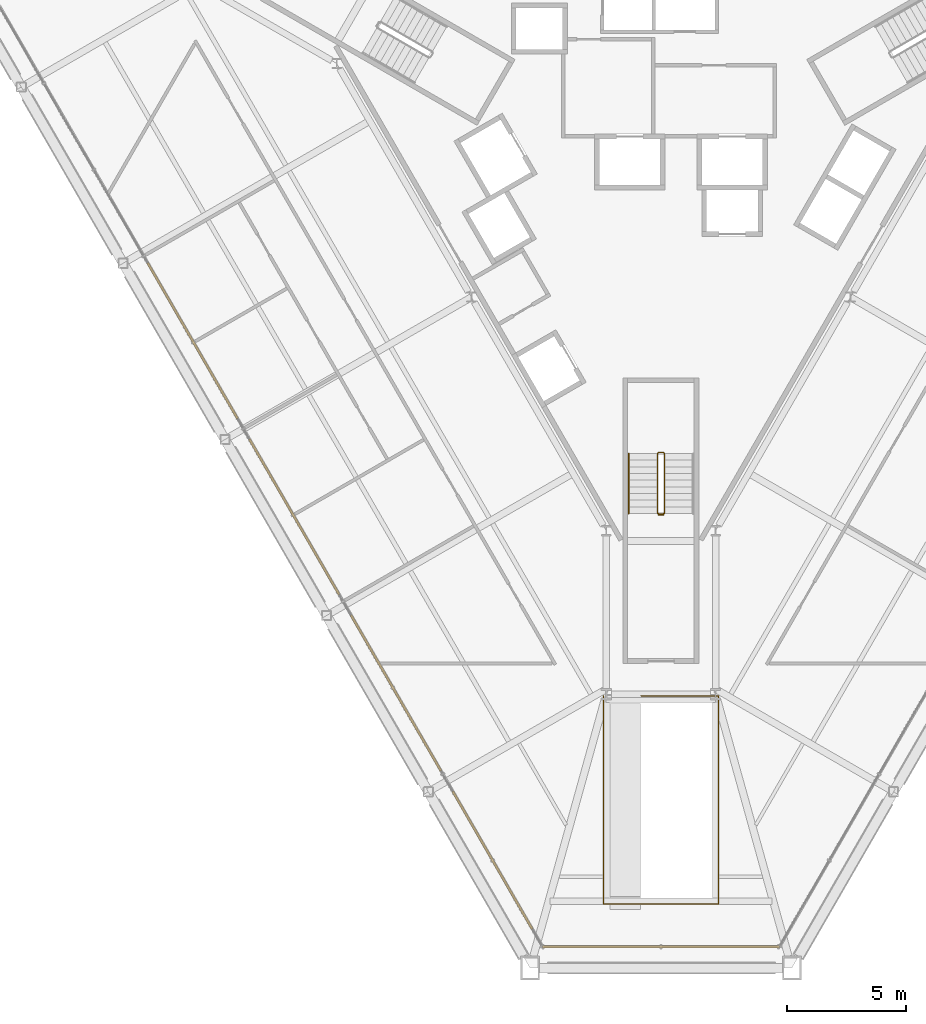
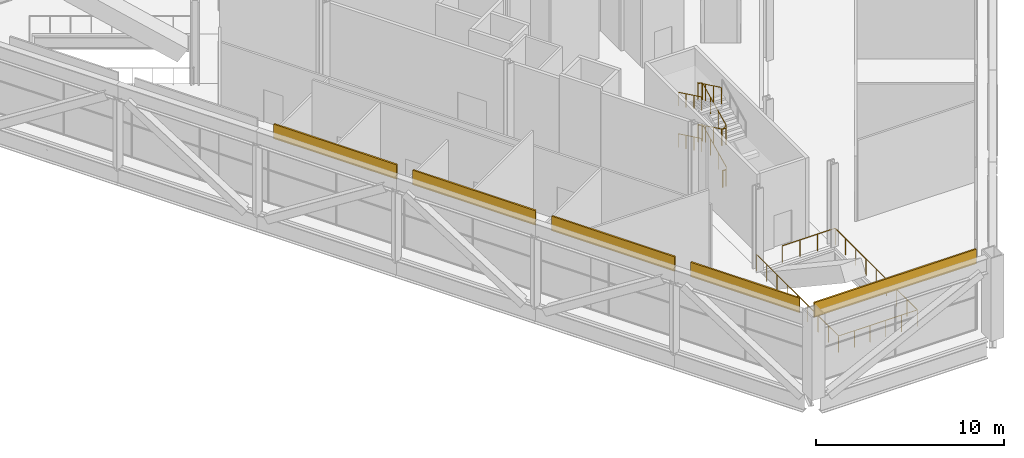
# One storey, part 16 of 20: 5 coverings, 5 railings.
"""IFC4 building model written with IfcOpenShell, lengths in metres."""

from ifc_helpers import new_model, si_unit, direction, frame, origin, origin_2d, place, context, subcontext, project, spatial, rectangle, circle, extrude, material, layer, layer_set, type_object, element, save


model = new_model("IFC4")

# Units and contexts
model_context = context("Model", 3, precision=1e-05, world=origin(), true_north=direction((0.0, 1.0)))
body_context = subcontext(model_context, "Body", "Model", "MODEL_VIEW")
ifc_project = project(units=[si_unit("LENGTHUNIT", "METRE"), si_unit("AREAUNIT", "SQUARE_METRE"), si_unit("VOLUMEUNIT", "CUBIC_METRE"), si_unit("PLANEANGLEUNIT", "RADIAN"), si_unit("MASSUNIT", "GRAM", prefix="KILO")], contexts=[model_context])

# Site, building, storey
site_placement = place(None, origin())
site = spatial("IfcSite", under=ifc_project, at=site_placement, CompositionType="ELEMENT")
building_placement = place(site_placement, origin())
building = spatial("IfcBuilding", under=site, at=building_placement, Name="Verrane Prism Tower", CompositionType="ELEMENT")
storey_placement = place(building_placement, frame((0.0, 0.0, 12.0)))
storey = spatial("IfcBuildingStorey", under=building, at=storey_placement, Name="L01", CompositionType="ELEMENT", Elevation=12.0)

# Coverings
ifc_material_1 = material(Name="Limestone cladding", Category="masonry")
ifc_layer = layer(ifc_material_1, 0.10009765625)
ifc_layer_set = layer_set([ifc_layer], Name="FA-100 stone fascia panel")
covering_type = type_object("IfcCoveringType", Name="FA-100 stone fascia panel", PredefinedType="CLADDING", material=ifc_layer_set)
covering_1_placement = place(storey_placement, frame((-19.6904296875, -6.43505859375, 4.2900390625), z_axis=(0.0, 0.0, 1.0), x_axis=(0.500000118955, -0.866025335106, 0.0)))
element("IfcCovering", 1, at=covering_1_placement, inside=storey, type_object=covering_type, Name="Stone fascia L01 4.3", PredefinedType="CLADDING", context=body_context, shape_type="SweptSolid", body=[
    extrude(rectangle(XDim=7.55712890625, YDim=0.10009765625, at=origin_2d()), origin(), (0.0, 0.0, 1.0), 0.949951171875),
])
covering_2_placement = place(storey_placement, frame((-15.415283203125, -13.83984375, 4.2900390625), z_axis=(0.0, 0.0, 1.0), x_axis=(0.500000118955, -0.866025335106, 0.0)))
element("IfcCovering", 2, at=covering_2_placement, inside=storey, type_object=covering_type, Name="Stone fascia L01 4.4", PredefinedType="CLADDING", context=body_context, shape_type="SweptSolid", body=[
    extrude(rectangle(XDim=7.543701171875, YDim=0.10009765625, at=origin_2d()), origin(), (0.0, 0.0, 1.0), 0.949951171875),
])
covering_3_placement = place(storey_placement, frame((-11.14013671875, -21.24462890625, 4.2900390625), z_axis=(0.0, 0.0, 1.0), x_axis=(0.500000118955, -0.866025335106, 0.0)))
element("IfcCovering", 3, at=covering_3_placement, inside=storey, type_object=covering_type, Name="Stone fascia L01 4.5", PredefinedType="CLADDING", context=body_context, shape_type="SweptSolid", body=[
    extrude(rectangle(XDim=7.55712890625, YDim=0.10009765625, at=origin_2d()), origin(), (0.0, 0.0, 1.0), 0.949951171875),
])
covering_4_placement = place(storey_placement, frame((-7.081787109375, -28.27392578125, 4.2900390625), z_axis=(0.0, 0.0, 1.0), x_axis=(0.500000118955, -0.866025335106, 0.0)))
element("IfcCovering", 4, at=covering_4_placement, inside=storey, type_object=covering_type, Name="Stone fascia L01 4.6", PredefinedType="CLADDING", context=body_context, shape_type="SweptSolid", body=[
    extrude(rectangle(XDim=6.67578125, YDim=0.10009765625, at=origin_2d()), origin(), (0.0, 0.0, 1.0), 0.949951171875),
])
covering_5_placement = place(storey_placement, frame((0.0, -31.913818359375, 4.2900390625), z_axis=(0.0, 0.0, 1.0), x_axis=(1.0, 0.0, 0.0)))
element("IfcCovering", 5, at=covering_5_placement, inside=storey, type_object=covering_type, Name="Stone fascia L01 5.1", PredefinedType="CLADDING", context=body_context, shape_type="SweptSolid", body=[
    extrude(rectangle(XDim=9.960693359375, YDim=0.10009765625, at=origin_2d()), origin(), (0.0, 0.0, 1.0), 0.949951171875),
])

# Railings
ifc_material_2 = material(Name="Stainless steel and laminated glass", Category="steel")
railing_type_1 = type_object("IfcRailingType", Name="GR-1100 glass and steel guard", PredefinedType="GUARDRAIL", material=ifc_material_2)
railing_1_placement = place(storey_placement, frame((-2.419921875, -21.3701171875, 0.0)))
element("IfcRailing", 6, at=railing_1_placement, inside=storey, type_object=railing_type_1, Name="Guard EW3 L01 1", PredefinedType="GUARDRAIL", context=body_context, shape_type="SweptSolid", body=[
    extrude(circle(Radius=0.02392578125, at=origin_2d()), frame((0.0, 0.0, 1.076171875), z_axis=(0.0, -1.0, 0.0), x_axis=(1.0, 0.0, 0.0)), (0.0, 0.0, 1.0), 8.75),
    extrude(circle(Radius=0.02392578125, at=origin_2d()), frame((0.0, -8.75, 1.076171875), z_axis=(1.0, 0.0, 0.0), x_axis=(0.0, 1.0, 0.0)), (0.0, 0.0, 1.0), 4.83984375),
    extrude(circle(Radius=0.02392578125, at=origin_2d()), frame((4.83984375, -8.75, 1.076171875), z_axis=(0.0, 1.0, 0.0), x_axis=(-1.0, 0.0, 0.0)), (0.0, 0.0, 1.0), 8.75),
    extrude(circle(Radius=0.02392578125, at=origin_2d()), frame((4.83984375, 0.0, 1.076171875), z_axis=(-1.0, 0.0, 0.0), x_axis=(0.0, -1.0, 0.0)), (0.0, 0.0, 1.0), 3.25),
    extrude(circle(Radius=0.02099609375, at=origin_2d()), origin(), (0.0, 0.0, 1.0), 1.052001953125),
    extrude(circle(Radius=0.02099609375, at=origin_2d()), frame((0.0, -1.09375, 0.0)), (0.0, 0.0, 1.0), 1.052001953125),
    extrude(circle(Radius=0.02099609375, at=origin_2d()), frame((0.0, -2.1875, 0.0)), (0.0, 0.0, 1.0), 1.052001953125),
    extrude(circle(Radius=0.02099609375, at=origin_2d()), frame((0.0, -3.28125, 0.0)), (0.0, 0.0, 1.0), 1.052001953125),
    extrude(circle(Radius=0.02099609375, at=origin_2d()), frame((0.0, -4.375, 0.0)), (0.0, 0.0, 1.0), 1.052001953125),
    extrude(circle(Radius=0.02099609375, at=origin_2d()), frame((0.0, -5.46875, 0.0)), (0.0, 0.0, 1.0), 1.052001953125),
    extrude(circle(Radius=0.02099609375, at=origin_2d()), frame((0.0, -6.5625, 0.0)), (0.0, 0.0, 1.0), 1.052001953125),
    extrude(circle(Radius=0.02099609375, at=origin_2d()), frame((0.0, -7.65625, 0.0)), (0.0, 0.0, 1.0), 1.052001953125),
    extrude(circle(Radius=0.02099609375, at=origin_2d()), frame((0.0, -8.75, 0.0)), (0.0, 0.0, 1.0), 1.052001953125),
    extrude(circle(Radius=0.02099609375, at=origin_2d()), frame((0.968017578125, -8.75, 0.0)), (0.0, 0.0, 1.0), 1.052001953125),
    extrude(circle(Radius=0.02099609375, at=origin_2d()), frame((1.93603515625, -8.75, 0.0)), (0.0, 0.0, 1.0), 1.052001953125),
    extrude(circle(Radius=0.02099609375, at=origin_2d()), frame((2.90380859375, -8.75, 0.0)), (0.0, 0.0, 1.0), 1.052001953125),
    extrude(circle(Radius=0.02099609375, at=origin_2d()), frame((3.871826171875, -8.75, 0.0)), (0.0, 0.0, 1.0), 1.052001953125),
    extrude(circle(Radius=0.02099609375, at=origin_2d()), frame((4.83984375, -8.75, 0.0)), (0.0, 0.0, 1.0), 1.052001953125),
    extrude(circle(Radius=0.02099609375, at=origin_2d()), frame((4.83984375, -7.65625, 0.0)), (0.0, 0.0, 1.0), 1.052001953125),
    extrude(circle(Radius=0.02099609375, at=origin_2d()), frame((4.83984375, -6.5625, 0.0)), (0.0, 0.0, 1.0), 1.052001953125),
    extrude(circle(Radius=0.02099609375, at=origin_2d()), frame((4.83984375, -5.46875, 0.0)), (0.0, 0.0, 1.0), 1.052001953125),
    extrude(circle(Radius=0.02099609375, at=origin_2d()), frame((4.83984375, -4.375, 0.0)), (0.0, 0.0, 1.0), 1.052001953125),
    extrude(circle(Radius=0.02099609375, at=origin_2d()), frame((4.83984375, -3.28125, 0.0)), (0.0, 0.0, 1.0), 1.052001953125),
    extrude(circle(Radius=0.02099609375, at=origin_2d()), frame((4.83984375, -2.1875, 0.0)), (0.0, 0.0, 1.0), 1.052001953125),
    extrude(circle(Radius=0.02099609375, at=origin_2d()), frame((4.83984375, -1.09375, 0.0)), (0.0, 0.0, 1.0), 1.052001953125),
    extrude(circle(Radius=0.02099609375, at=origin_2d()), frame((4.83984375, 0.0, 0.0)), (0.0, 0.0, 1.0), 1.052001953125),
    extrude(circle(Radius=0.02099609375, at=origin_2d()), frame((3.756591796875, 0.0, 0.0)), (0.0, 0.0, 1.0), 1.052001953125),
    extrude(circle(Radius=0.02099609375, at=origin_2d()), frame((2.673095703125, 0.0, 0.0)), (0.0, 0.0, 1.0), 1.052001953125),
    extrude(circle(Radius=0.02099609375, at=origin_2d()), frame((1.58984375, 0.0, 0.0)), (0.0, 0.0, 1.0), 1.052001953125),
])
ifc_material_3 = material(Name="Steel A36 rail and posts, no infill", Category="steel")
railing_type_2 = type_object("IfcRailingType", Name="Stair guard 1100 steel rail and posts", PredefinedType="GUARDRAIL", material=ifc_material_3)
railing_2_placement = place(storey_placement, frame((0.14990234375, -13.699951171875, 0.135009765625)))
element("IfcRailing", 7, at=railing_2_placement, inside=storey, type_object=railing_type_2, Name="Stair 3 guard", PredefinedType="GUARDRAIL", context=body_context, shape_type="SweptSolid", body=[
    extrude(circle(Radius=0.02392578125, at=origin_2d()), frame((0.0, 0.0, 1.076171875), z_axis=(0.0, 0.900757707942, 0.434321944626), x_axis=(-1.0, 0.0, 0.0)), (0.0, 0.0, 1.0), 2.797607421875),
    extrude(circle(Radius=0.02392578125, at=origin_2d()), frame((0.0, 2.52001953125, 2.291015625), z_axis=(-0.705375805398, 0.708833529934, 0.0), x_axis=(-0.708833529934, -0.705375805398, 0.0)), (0.0, 0.0, 1.0), 0.070556640625),
    extrude(circle(Radius=0.02392578125, at=origin_2d()), frame((-0.0498046875, 2.570068359375, 2.291015625), z_axis=(-1.0, 0.0, 0.0), x_axis=(0.0, -1.0, 0.0)), (0.0, 0.0, 1.0), 0.2001953125),
    extrude(circle(Radius=0.02392578125, at=origin_2d()), frame((-0.25, 2.570068359375, 2.291015625), z_axis=(-0.326892015866, -0.328494427709, 0.886133748893), x_axis=(0.708833529934, -0.705375805398, 0.0)), (0.0, 0.0, 1.0), 0.15234375),
    extrude(circle(Radius=0.02392578125, at=origin_2d()), frame((-0.2998046875, 2.52001953125, 2.42626953125), z_axis=(0.0, -0.900791846482, 0.434251136223), x_axis=(1.0, 0.0, 0.0)), (0.0, 0.0, 1.0), 2.797607421875),
    extrude(circle(Radius=0.02392578125, at=origin_2d()), frame((-0.2998046875, 0.0, 3.64111328125), z_axis=(0.98054382908, -0.196300278283, 0.0), x_axis=(0.196300278283, 0.98054382908, 0.0)), (0.0, 0.0, 1.0), 0.2548828125),
    extrude(circle(Radius=0.02392578125, at=origin_2d()), frame((-0.0498046875, -0.050048828125, 3.64111328125), z_axis=(-1.0, 0.0, 0.0), x_axis=(0.0, -1.0, 0.0)), (0.0, 0.0, 1.0), 0.2001953125),
    extrude(circle(Radius=0.02392578125, at=origin_2d()), frame((-0.25, -0.050048828125, 3.64111328125), z_axis=(0.866549710535, 0.173479190097, 0.467970693287), x_axis=(-0.196300278283, 0.98054382908, 0.0)), (0.0, 0.0, 1.0), 0.28857421875),
    extrude(circle(Radius=0.02392578125, at=origin_2d()), frame((0.0, 0.0, 3.77587890625), z_axis=(0.0, 0.900757707942, 0.434321944626), x_axis=(-1.0, 0.0, 0.0)), (0.0, 0.0, 1.0), 2.797607421875),
    extrude(circle(Radius=0.02392578125, at=origin_2d()), frame((0.0, 2.52001953125, 4.9912109375), z_axis=(-0.705375805398, 0.708833529934, 0.0), x_axis=(-0.708833529934, -0.705375805398, 0.0)), (0.0, 0.0, 1.0), 0.070556640625),
    extrude(circle(Radius=0.02392578125, at=origin_2d()), frame((-0.0498046875, 2.570068359375, 4.9912109375), z_axis=(-1.0, 0.0, 0.0), x_axis=(0.0, -1.0, 0.0)), (0.0, 0.0, 1.0), 0.2001953125),
    extrude(circle(Radius=0.02392578125, at=origin_2d()), frame((-0.25, 2.570068359375, 4.9912109375), z_axis=(-0.326892015866, -0.328494427709, 0.886133748893), x_axis=(0.708833529934, -0.705375805398, 0.0)), (0.0, 0.0, 1.0), 0.15234375),
    extrude(circle(Radius=0.02392578125, at=origin_2d()), frame((-0.2998046875, 2.52001953125, 5.1259765625), z_axis=(0.0, -0.900791846482, 0.434251136223), x_axis=(1.0, 0.0, 0.0)), (0.0, 0.0, 1.0), 2.797607421875),
    extrude(circle(Radius=0.02099609375, at=origin_2d()), origin(), (0.0, 0.0, 1.0), 1.052001953125),
    extrude(circle(Radius=0.02099609375, at=origin_2d()), frame((0.0, 0.840087890625, 0.405029296875)), (0.0, 0.0, 1.0), 1.052001953125),
    extrude(circle(Radius=0.02099609375, at=origin_2d()), frame((0.0, 1.679931640625, 0.81005859375)), (0.0, 0.0, 1.0), 1.052001953125),
    extrude(circle(Radius=0.02099609375, at=origin_2d()), frame((0.0, 2.52001953125, 1.215087890625)), (0.0, 0.0, 1.0), 1.052001953125),
    extrude(circle(Radius=0.02099609375, at=origin_2d()), frame((-0.0498046875, 2.570068359375, 1.215087890625)), (0.0, 0.0, 1.0), 1.052001953125),
    extrude(circle(Radius=0.02099609375, at=origin_2d()), frame((-0.25, 2.570068359375, 1.215087890625)), (0.0, 0.0, 1.0), 1.052001953125),
    extrude(circle(Radius=0.02099609375, at=origin_2d()), frame((-0.2998046875, 2.52001953125, 1.35009765625)), (0.0, 0.0, 1.0), 1.052001953125),
    extrude(circle(Radius=0.02099609375, at=origin_2d()), frame((-0.2998046875, 1.679931640625, 1.755126953125)), (0.0, 0.0, 1.0), 1.052001953125),
    extrude(circle(Radius=0.02099609375, at=origin_2d()), frame((-0.2998046875, 0.840087890625, 2.159912109375)), (0.0, 0.0, 1.0), 1.052001953125),
    extrude(circle(Radius=0.02099609375, at=origin_2d()), frame((-0.2998046875, 0.0, 2.56494140625)), (0.0, 0.0, 1.0), 1.052001953125),
    extrude(circle(Radius=0.02099609375, at=origin_2d()), frame((-0.0498046875, -0.050048828125, 2.56494140625)), (0.0, 0.0, 1.0), 1.052001953125),
    extrude(circle(Radius=0.02099609375, at=origin_2d()), frame((-0.25, -0.050048828125, 2.56494140625)), (0.0, 0.0, 1.0), 1.052001953125),
    extrude(circle(Radius=0.02099609375, at=origin_2d()), frame((0.0, 0.0, 2.699951171875)), (0.0, 0.0, 1.0), 1.052001953125),
    extrude(circle(Radius=0.02099609375, at=origin_2d()), frame((0.0, 0.840087890625, 3.10498046875)), (0.0, 0.0, 1.0), 1.052001953125),
    extrude(circle(Radius=0.02099609375, at=origin_2d()), frame((0.0, 1.679931640625, 3.510009765625)), (0.0, 0.0, 1.0), 1.052001953125),
    extrude(circle(Radius=0.02099609375, at=origin_2d()), frame((0.0, 2.52001953125, 3.9150390625)), (0.0, 0.0, 1.0), 1.052001953125),
    extrude(circle(Radius=0.02099609375, at=origin_2d()), frame((-0.0498046875, 2.570068359375, 3.9150390625)), (0.0, 0.0, 1.0), 1.052001953125),
    extrude(circle(Radius=0.02099609375, at=origin_2d()), frame((-0.25, 2.570068359375, 3.9150390625)), (0.0, 0.0, 1.0), 1.052001953125),
    extrude(circle(Radius=0.02099609375, at=origin_2d()), frame((-0.2998046875, 2.52001953125, 4.050048828125)), (0.0, 0.0, 1.0), 1.052001953125),
    extrude(circle(Radius=0.02099609375, at=origin_2d()), frame((-0.2998046875, 1.679931640625, 4.455078125)), (0.0, 0.0, 1.0), 1.052001953125),
    extrude(circle(Radius=0.02099609375, at=origin_2d()), frame((-0.2998046875, 0.840087890625, 4.85986328125)), (0.0, 0.0, 1.0), 1.052001953125),
    extrude(circle(Radius=0.02099609375, at=origin_2d()), frame((-0.2998046875, 0.0, 5.264892578125)), (0.0, 0.0, 1.0), 1.052001953125),
])
railing_3_placement = place(storey_placement, frame((0.10009765625, -13.75, 0.0)))
element("IfcRailing", 8, at=railing_3_placement, inside=storey, type_object=railing_type_2, Name="Stair 3 guard", PredefinedType="GUARDRAIL", context=body_context, shape_type="SweptSolid", body=[
    extrude(circle(Radius=0.02392578125, at=origin_2d()), frame((0.0, 0.0, 1.076171875), z_axis=(-1.0, 0.0, 0.0), x_axis=(0.0, -1.0, 0.0)), (0.0, 0.0, 1.0), 0.2001953125),
    extrude(circle(Radius=0.02099609375, at=origin_2d()), origin(), (0.0, 0.0, 1.0), 1.052001953125),
    extrude(circle(Radius=0.02099609375, at=origin_2d()), frame((-0.2001953125, 0.0, 0.0)), (0.0, 0.0, 1.0), 1.052001953125),
])
ifc_material_4 = material(Name="Steel A36 tube", Category="steel")
railing_type_3 = type_object("IfcRailingType", Name="Stair handrail 900 steel tube", PredefinedType="HANDRAIL", material=ifc_material_4)
for number, where, name in (
    (9, (-1.35009765625, -11.179931640625, 1.485107421875), "Stair 3 handrail"),
    (10, (-1.35009765625, -11.179931640625, 4.18505859375), "Stair 3 handrail"),
):
    element("IfcRailing", number, at=place(storey_placement, frame(where)), inside=storey, type_object=railing_type_3, Name=name, PredefinedType="HANDRAIL", context=body_context, shape_type="SweptSolid", body=[
        extrude(circle(Radius=0.02392578125, at=origin_2d()), frame((0.0, 0.0, 0.8759765625), z_axis=(0.0, -0.900791846482, 0.434251136223), x_axis=(1.0, 0.0, 0.0)), (0.0, 0.0, 1.0), 2.797607421875),
        extrude(circle(Radius=0.02099609375, at=origin_2d()), origin(), (0.0, 0.0, 1.0), 0.851806640625),
        extrude(circle(Radius=0.02099609375, at=origin_2d()), frame((0.0, -0.840087890625, 0.405029296875)), (0.0, 0.0, 1.0), 0.851806640625),
        extrude(circle(Radius=0.02099609375, at=origin_2d()), frame((0.0, -1.679931640625, 0.809814453125)), (0.0, 0.0, 1.0), 0.851806640625),
        extrude(circle(Radius=0.02099609375, at=origin_2d()), frame((0.0, -2.52001953125, 1.21484375)), (0.0, 0.0, 1.0), 0.851806640625),
    ])

save(model, "model.ifc")
